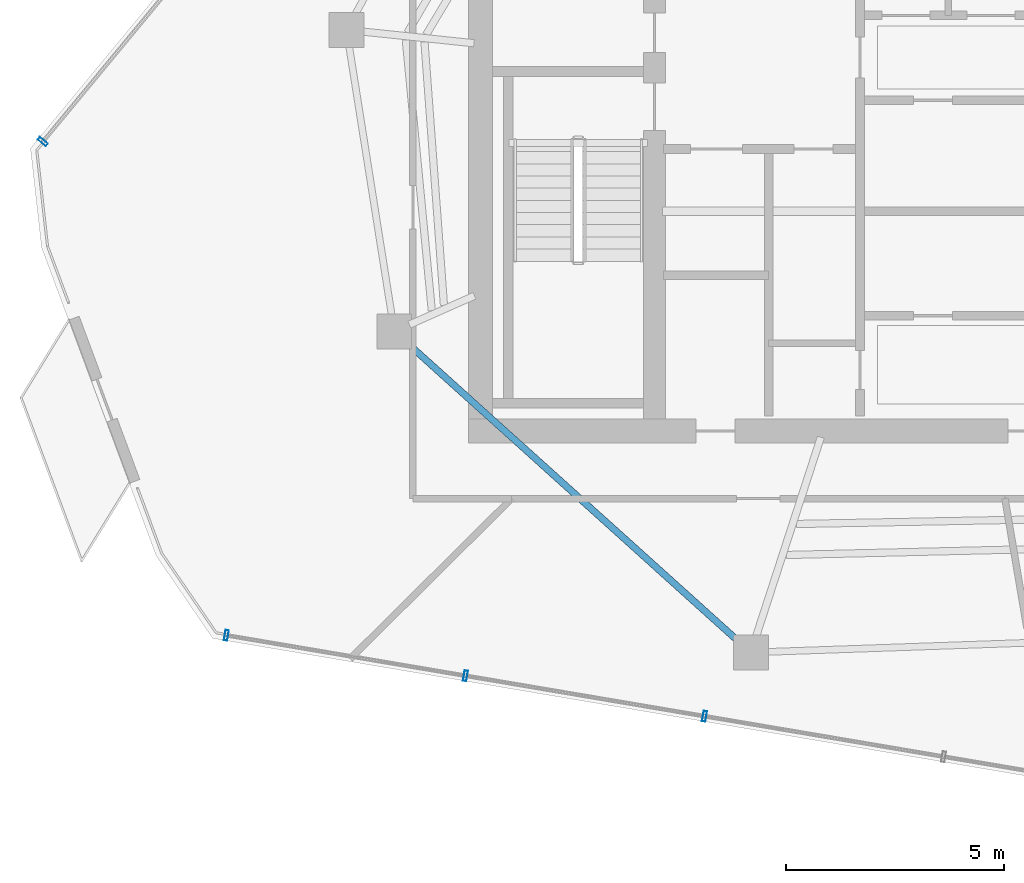
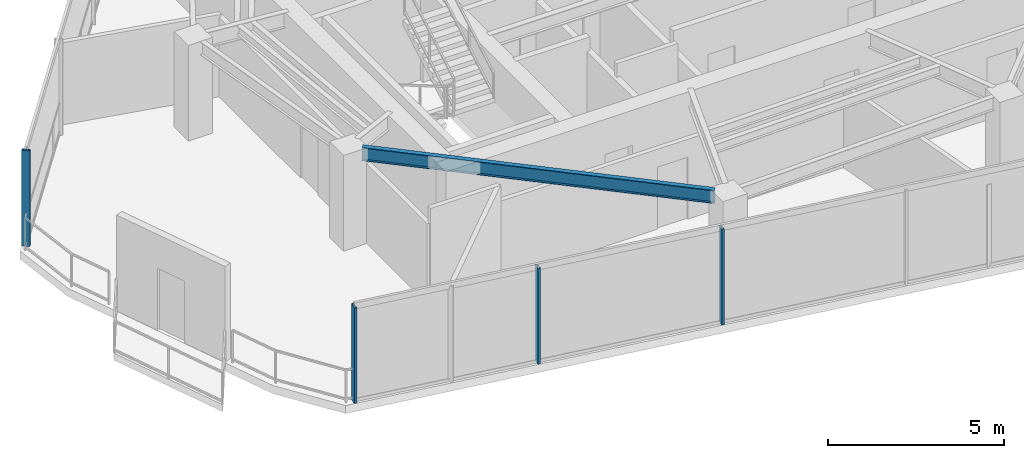
# One storey, part 2 of 19: 4 members, 1 beam, 2 elements without a shape of their own.
"""IFC4 building model written with IfcOpenShell, lengths in metres."""

from ifc_helpers import new_model, si_unit, direction, frame, origin, origin_2d, place, context, subcontext, project, spatial, hollow_rectangle, i_section, extrude, material, layer, layer_set, material_profile, profile_set, type_object, element, aggregate, save


model = new_model("IFC4")

# Units and contexts
model_context = context("Model", 3, precision=1e-05, world=origin(), true_north=direction((0.0, 1.0)))
body_context = subcontext(model_context, "Body", "Model", "MODEL_VIEW")
ifc_project = project(units=[si_unit("LENGTHUNIT", "METRE"), si_unit("AREAUNIT", "SQUARE_METRE"), si_unit("VOLUMEUNIT", "CUBIC_METRE"), si_unit("PLANEANGLEUNIT", "RADIAN"), si_unit("MASSUNIT", "GRAM", prefix="KILO")], contexts=[model_context])

# Site, building, storey
site_placement = place(None, origin())
site = spatial("IfcSite", under=ifc_project, at=site_placement, CompositionType="ELEMENT")
building_placement = place(site_placement, origin())
building = spatial("IfcBuilding", under=site, at=building_placement, Name="Qarnah Convention Tower", CompositionType="ELEMENT")
storey_placement = place(building_placement, frame((0.0, 0.0, 257.10009765625)))
storey = spatial("IfcBuildingStorey", under=building, at=storey_placement, Name="L69", CompositionType="ELEMENT", Elevation=257.10009765625)

# Beam
ifc_material_1 = material(Name="Structural steel S355JR", Category="steel")
ifc_material_profile_1 = material_profile(ifc_material_1, i_section(OverallWidth=0.154052734375, OverallDepth=0.4599609375, WebThickness=0.009033203125, FlangeThickness=0.014892578125, at=origin_2d()), Name="W460X68")
ifc_profile_set_1 = profile_set([ifc_material_profile_1], Name="Structural steel S355JR")
beam_type = type_object("IfcBeamType", Name="BM-SPN-W460B", PredefinedType="SPANDREL", material=ifc_profile_set_1)
beam_placement = place(storey_placement, frame((25.111083984375, 20.6279296875, 3.08984375), z_axis=(0.743130570512, -0.669146437762, 0.0), x_axis=(0.669146437762, 0.743130570512, 0.0)))
element("IfcBeam", 1, at=beam_placement, inside=storey, type_object=beam_type, Name="L69 spandrel BM-L69-SPN-06", PredefinedType="SPANDREL", context=body_context, shape_type="SweptSolid", body=[
    extrude(i_section(OverallWidth=0.154052734375, OverallDepth=0.4599609375, WebThickness=0.009033203125, FlangeThickness=0.014892578125, at=origin_2d()), origin(), (0.0, 0.0, 1.0), 10.242919921875),
])

# Curtain wall, members
ifc_material_2 = material(Name="Tempered Low-E dark glass", Category="glass")
ifc_layer = layer(ifc_material_2, 0.176025390625)
ifc_layer_set = layer_set([ifc_layer], Name="Tempered Low-E dark glass")
curtain_wall_type = type_object("IfcCurtainWallType", Name="CWS-05", PredefinedType="NOTDEFINED", material=ifc_layer_set)
curtain_wall_1_placement = place(storey_placement, origin())
curtain_wall_1 = element("IfcCurtainWall", 2, at=curtain_wall_1_placement, inside=storey, type_object=curtain_wall_type, Name="L69 unitised curtain wall CW-L69-F1", PredefinedType="NOTDEFINED")
ifc_material_3 = material(Name="Black anodised aluminium", Category="aluminium")
ifc_material_profile_2 = material_profile(ifc_material_3, hollow_rectangle(XDim=0.080078125, YDim=0.239990234375, WallThickness=0.0048828125, at=origin_2d()), Name="MUL-80X240")
ifc_profile_set_2 = profile_set([ifc_material_profile_2], Name="Black anodised aluminium")
member_type = type_object("IfcMemberType", Name="MUL-T5", PredefinedType="MULLION", material=ifc_profile_set_2)
member_1_placement = place(storey_placement, frame((31.947998046875, 12.048095703125, 0.0), z_axis=(0.0, 0.0, 1.0), x_axis=(-0.985993152455, 0.166785800689, 0.0)))
member_1 = element("IfcMember", 3, at=member_1_placement, type_object=member_type, Name="CW-L69-F1 mullion 4", PredefinedType="MULLION", context=body_context, shape_type="SweptSolid", body=[
    extrude(hollow_rectangle(XDim=0.080078125, YDim=0.239990234375, WallThickness=0.0048828125, at=origin_2d()), origin(), (0.0, 0.0, 1.0), 3.31982421875),
])
member_2_placement = place(storey_placement, frame((26.4560546875, 12.97705078125, 0.0), z_axis=(0.0, 0.0, 1.0), x_axis=(-0.985993152455, 0.166785800689, 0.0)))
member_2 = element("IfcMember", 4, at=member_2_placement, type_object=member_type, Name="CW-L69-F1 mullion 5", PredefinedType="MULLION", context=body_context, shape_type="SweptSolid", body=[
    extrude(hollow_rectangle(XDim=0.080078125, YDim=0.239990234375, WallThickness=0.0048828125, at=origin_2d()), origin(), (0.0, 0.0, 1.0), 3.31982421875),
])
member_3_placement = place(storey_placement, frame((20.964111328125, 13.906005859375, 0.0), z_axis=(0.0, 0.0, 1.0), x_axis=(-0.985993152455, 0.166785800689, 0.0)))
member_3 = element("IfcMember", 5, at=member_3_placement, type_object=member_type, Name="CW-L69-F1 mullion 6", PredefinedType="MULLION", context=body_context, shape_type="SweptSolid", body=[
    extrude(hollow_rectangle(XDim=0.080078125, YDim=0.239990234375, WallThickness=0.0048828125, at=origin_2d()), origin(), (0.0, 0.0, 1.0), 3.31982421875),
])
aggregate(curtain_wall_1, [member_1, member_2, member_3])

# Curtain wall, member
curtain_wall_2_placement = place(storey_placement, origin())
curtain_wall_2 = element("IfcCurtainWall", 6, at=curtain_wall_2_placement, inside=storey, type_object=curtain_wall_type, Name="L69 unitised curtain wall CW-L69-F3", PredefinedType="NOTDEFINED")
member_4_placement = place(storey_placement, frame((16.74609375, 25.2490234375, 0.0), z_axis=(0.0, 0.0, 1.0), x_axis=(0.637432488841, 0.770506211636, 0.0)))
member_4 = element("IfcMember", 7, at=member_4_placement, type_object=member_type, Name="CW-L69-F3 mullion 1", PredefinedType="MULLION", context=body_context, shape_type="SweptSolid", body=[
    extrude(hollow_rectangle(XDim=0.080078125, YDim=0.239990234375, WallThickness=0.0048828125, at=origin_2d()), origin(), (0.0, 0.0, 1.0), 3.31982421875),
])
aggregate(curtain_wall_2, [member_4])

save(model, "model.ifc")
